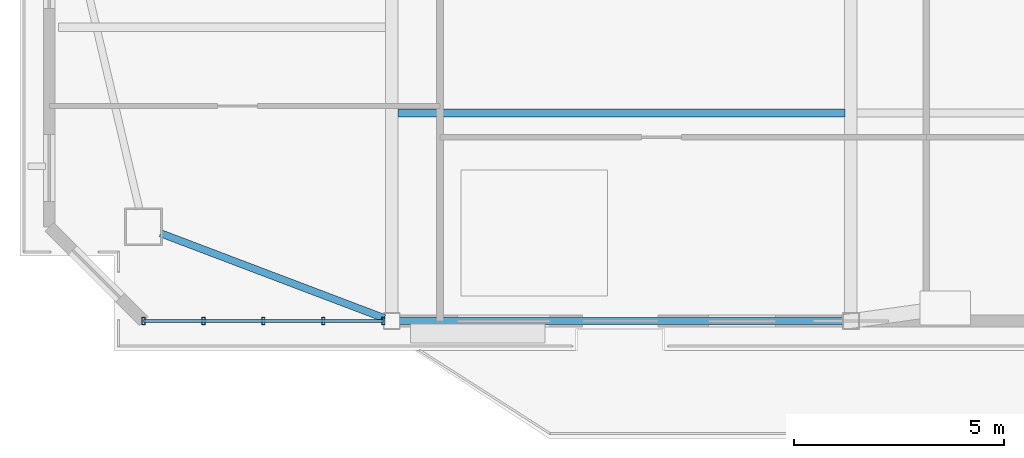
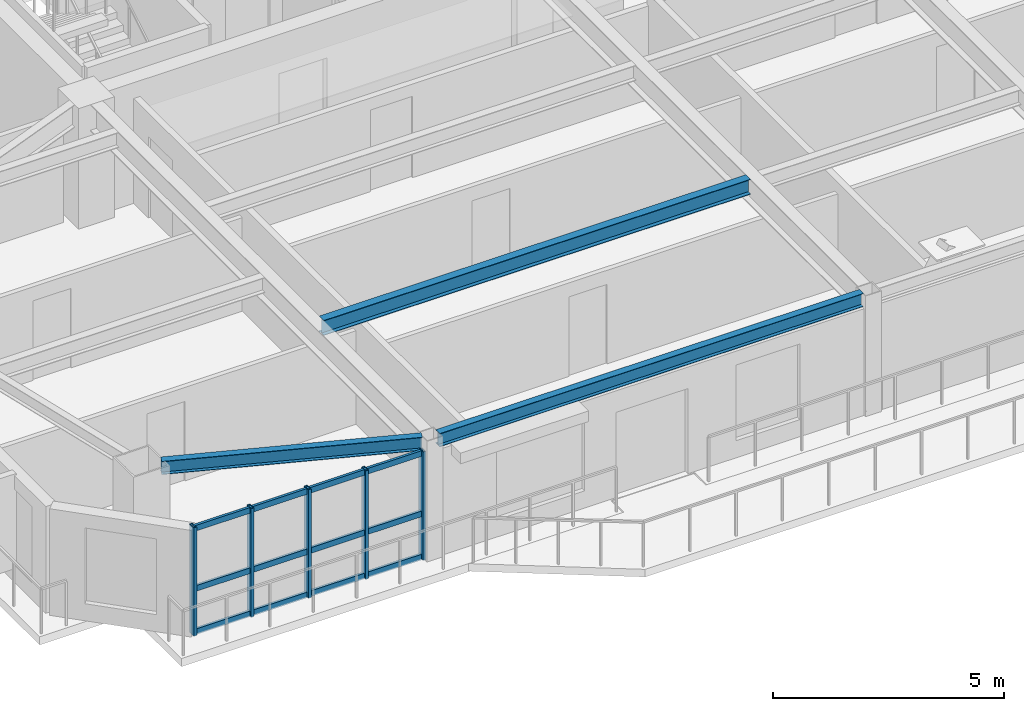
# One storey, part 2 of 13: 8 members, 3 beams, 1 element without a shape of its own.
"""IFC4 building model written with IfcOpenShell, lengths in metres."""

from ifc_helpers import new_model, si_unit, direction, frame, origin, origin_2d, place, context, subcontext, project, spatial, hollow_rectangle, i_section, extrude, source, transform, mapped, material, layer, layer_set, material_profile, profile_set, type_object, element, aggregate, save


model = new_model("IFC4")

# Units and contexts
model_context = context("Model", 3, precision=1e-05, world=origin(), true_north=direction((0.0, 1.0)))
body_context = subcontext(model_context, "Body", "Model", "MODEL_VIEW")
ifc_project = project(units=[si_unit("LENGTHUNIT", "METRE"), si_unit("AREAUNIT", "SQUARE_METRE"), si_unit("VOLUMEUNIT", "CUBIC_METRE"), si_unit("PLANEANGLEUNIT", "RADIAN"), si_unit("MASSUNIT", "GRAM", prefix="KILO")], contexts=[model_context])

# Site, building, storey
site_placement = place(None, origin())
site = spatial("IfcSite", under=ifc_project, at=site_placement, CompositionType="ELEMENT")
building_placement = place(site_placement, origin())
building = spatial("IfcBuilding", under=site, at=building_placement, Name="Giltprow Tower", CompositionType="ELEMENT")
storey_placement = place(building_placement, frame((0.0, 0.0, 335.699951171875)))
storey = spatial("IfcBuildingStorey", under=building, at=storey_placement, Name="L87", CompositionType="ELEMENT", Elevation=335.699951171875)

# Beams
ifc_material_1 = material(Name="Structural steel Q355B", Category="steel")
ifc_material_profile_1 = material_profile(ifc_material_1, i_section(OverallWidth=0.199951171875, OverallDepth=0.39990234375, WebThickness=0.008056640625, FlangeThickness=0.012939453125, at=origin_2d()), Name="HN 400x200x8x13")
ifc_profile_set_1 = profile_set([ifc_material_profile_1], Name="Structural steel Q355B")
beam_type_1 = type_object("IfcBeamType", Name="BM-JOIST-HN400", PredefinedType="JOIST", material=ifc_profile_set_1)
shared_shape_1 = source(origin(), body_context, "Body", "SweptSolid", [
    extrude(i_section(OverallWidth=0.199951171875, OverallDepth=0.39990234375, WebThickness=0.008056640625, FlangeThickness=0.012939453125, at=origin_2d()), origin(), (0.0, 0.0, 1.0), 10.659912109375),
])
beam_1_placement = place(storey_placement, frame((19.9951171875, 27.529052734375, 2.985107421875), z_axis=(1.0, 0.0, 0.0), x_axis=(0.0, 1.0, 0.0)))
element("IfcBeam", 1, at=beam_1_placement, inside=storey, type_object=beam_type_1, Name="L87 Composite Floor Joist 1-1", PredefinedType="JOIST", context=body_context, shape_type="MappedRepresentation", body=[
    mapped(shared_shape_1, transform((0.0, 0.0, 0.0), x_axis=(1.0, 0.0, 0.0), y_axis=(0.0, 1.0, 0.0), z_axis=(0.0, 0.0, 1.0), scale=1.0)),
])
ifc_material_profile_2 = material_profile(ifc_material_1, i_section(OverallWidth=0.175048828125, OverallDepth=0.35009765625, WebThickness=0.007080078125, FlangeThickness=0.010986328125, at=origin_2d()), Name="HN 350x175x7x11")
ifc_profile_set_2 = profile_set([ifc_material_profile_2], Name="Structural steel Q355B")
beam_type_2 = type_object("IfcBeamType", Name="BM-SPAN-HN350", PredefinedType="SPANDREL", material=ifc_profile_set_2)
shared_shape_2 = source(origin(), body_context, "Body", "SweptSolid", [
    extrude(i_section(OverallWidth=0.175048828125, OverallDepth=0.35009765625, WebThickness=0.007080078125, FlangeThickness=0.010986328125, at=origin_2d()), origin(), (0.0, 0.0, 1.0), 10.580078125),
])
beam_2_placement = place(storey_placement, frame((20.034912109375, 22.568115234375, 3.010009765625), z_axis=(1.0, 0.0, 0.0), x_axis=(0.0, 1.0, 0.0)))
element("IfcBeam", 2, at=beam_2_placement, inside=storey, type_object=beam_type_2, Name="L87 Perimeter Spandrel Beam S1-S2", PredefinedType="SPANDREL", context=body_context, shape_type="MappedRepresentation", body=[
    mapped(shared_shape_2, transform((0.0, 0.0, 0.0), x_axis=(1.0, 0.0, 0.0), y_axis=(0.0, 1.0, 0.0), z_axis=(0.0, 0.0, 1.0), scale=1.0)),
])
shared_shape_3 = source(origin(), body_context, "Body", "SweptSolid", [
    extrude(i_section(OverallWidth=0.175048828125, OverallDepth=0.35009765625, WebThickness=0.007080078125, FlangeThickness=0.010986328125, at=origin_2d()), origin(), (0.0, 0.0, 1.0), 5.71044921875),
])
beam_3_placement = place(storey_placement, frame((14.337890625, 24.659912109375, 3.010009765625), z_axis=(0.934956945211, -0.354761202221, 0.0), x_axis=(0.354761202221, 0.934956945211, 0.0)))
element("IfcBeam", 3, at=beam_3_placement, inside=storey, type_object=beam_type_2, Name="L87 Perimeter Spandrel Beam MC_SW-S1", PredefinedType="SPANDREL", context=body_context, shape_type="MappedRepresentation", body=[
    mapped(shared_shape_3, transform((0.0, 0.0, 0.0), x_axis=(1.0, 0.0, 0.0), y_axis=(0.0, 1.0, 0.0), z_axis=(0.0, 0.0, 1.0), scale=1.0)),
])

# Curtain wall, members
ifc_material_2 = material(Name="Anodized bronze", Category="metal")
ifc_layer = layer(ifc_material_2, 0.179931640625, Name="Anodized bronze")
ifc_layer_set = layer_set([ifc_layer], Name="Anodized bronze")
curtain_wall_type = type_object("IfcCurtainWallType", Name="CW-RES-SKY", PredefinedType="NOTDEFINED", material=ifc_layer_set)
curtain_wall_placement = place(storey_placement, origin())
curtain_wall = element("IfcCurtainWall", 4, at=curtain_wall_placement, inside=storey, type_object=curtain_wall_type, Name="L87 South Recessed Curtain Wall 1", PredefinedType="NOTDEFINED")
ifc_material_profile_3 = material_profile(ifc_material_2, hollow_rectangle(XDim=0.074951171875, YDim=0.179931640625, WallThickness=0.008056640625, at=origin_2d()), Name="RHS 180x75x8")
ifc_profile_set_3 = profile_set([ifc_material_profile_3], Name="Anodized bronze")
member_type_1 = type_object("IfcMemberType", Name="CW-MULLION-180x75", PredefinedType="MULLION", material=ifc_profile_set_3)
shared_shape_4 = source(origin(), body_context, "Body", "SweptSolid", [
    extrude(hollow_rectangle(XDim=0.074951171875, YDim=0.179931640625, WallThickness=0.008056640625, at=origin_2d()), origin(), (0.0, 0.0, 1.0), 2.8701171875),
])
member_1_placement = place(storey_placement, frame((13.930908203125, 22.568115234375, -0.02001953125), z_axis=(0.0, 0.0, 1.0), x_axis=(1.0, 0.0, 0.0)))
member_1 = element("IfcMember", 5, at=member_1_placement, type_object=member_type_1, Name="L87 South Recessed Curtain Wall 1 Mullion 1", PredefinedType="MULLION", context=body_context, shape_type="MappedRepresentation", body=[
    mapped(shared_shape_4, transform((0.0, 0.0, 0.0), x_axis=(1.0, 0.0, 0.0), y_axis=(0.0, 1.0, 0.0), z_axis=(0.0, 0.0, 1.0), scale=1.0)),
])
member_2_placement = place(storey_placement, frame((15.361083984375, 22.568115234375, -0.02001953125), z_axis=(0.0, 0.0, 1.0), x_axis=(1.0, 0.0, 0.0)))
member_2 = element("IfcMember", 6, at=member_2_placement, type_object=member_type_1, Name="L87 South Recessed Curtain Wall 1 Mullion 2", PredefinedType="MULLION", context=body_context, shape_type="MappedRepresentation", body=[
    mapped(shared_shape_4, transform((0.0, 0.0, 0.0), x_axis=(1.0, 0.0, 0.0), y_axis=(0.0, 1.0, 0.0), z_axis=(0.0, 0.0, 1.0), scale=1.0)),
])
member_3_placement = place(storey_placement, frame((16.7900390625, 22.568115234375, -0.02001953125), z_axis=(0.0, 0.0, 1.0), x_axis=(1.0, 0.0, 0.0)))
member_3 = element("IfcMember", 7, at=member_3_placement, type_object=member_type_1, Name="L87 South Recessed Curtain Wall 1 Mullion 3", PredefinedType="MULLION", context=body_context, shape_type="MappedRepresentation", body=[
    mapped(shared_shape_4, transform((0.0, 0.0, 0.0), x_axis=(1.0, 0.0, 0.0), y_axis=(0.0, 1.0, 0.0), z_axis=(0.0, 0.0, 1.0), scale=1.0)),
])
member_4_placement = place(storey_placement, frame((18.219970703125, 22.568115234375, -0.02001953125), z_axis=(0.0, 0.0, 1.0), x_axis=(1.0, 0.0, 0.0)))
member_4 = element("IfcMember", 8, at=member_4_placement, type_object=member_type_1, Name="L87 South Recessed Curtain Wall 1 Mullion 4", PredefinedType="MULLION", context=body_context, shape_type="MappedRepresentation", body=[
    mapped(shared_shape_4, transform((0.0, 0.0, 0.0), x_axis=(1.0, 0.0, 0.0), y_axis=(0.0, 1.0, 0.0), z_axis=(0.0, 0.0, 1.0), scale=1.0)),
])
member_5_placement = place(storey_placement, frame((19.64990234375, 22.568115234375, -0.02001953125), z_axis=(0.0, 0.0, 1.0), x_axis=(1.0, 0.0, 0.0)))
member_5 = element("IfcMember", 9, at=member_5_placement, type_object=member_type_1, Name="L87 South Recessed Curtain Wall 1 Mullion 5", PredefinedType="MULLION", context=body_context, shape_type="MappedRepresentation", body=[
    mapped(shared_shape_4, transform((0.0, 0.0, 0.0), x_axis=(1.0, 0.0, 0.0), y_axis=(0.0, 1.0, 0.0), z_axis=(0.0, 0.0, 1.0), scale=1.0)),
])
ifc_material_profile_4 = material_profile(ifc_material_2, hollow_rectangle(XDim=0.06494140625, YDim=0.14990234375, WallThickness=0.006103515625, at=origin_2d()), Name="RHS 150x65x6")
ifc_profile_set_4 = profile_set([ifc_material_profile_4], Name="Anodized bronze")
member_type_2 = type_object("IfcMemberType", Name="CW-TRANSOM-150x65", PredefinedType="USERDEFINED", material=ifc_profile_set_4)
shared_shape_5 = source(origin(), body_context, "Body", "SweptSolid", [
    extrude(hollow_rectangle(XDim=0.06494140625, YDim=0.14990234375, WallThickness=0.006103515625, at=origin_2d()), origin(), (0.0, 0.0, 1.0), 5.718994140625),
])
member_6_placement = place(storey_placement, frame((13.930908203125, 22.568115234375, 0.0400390625), z_axis=(1.0, 0.0, 0.0), x_axis=(0.0, 1.0, 0.0)))
member_6 = element("IfcMember", 10, at=member_6_placement, type_object=member_type_2, Name="L87 South Recessed Curtain Wall 1 Transom 1", ObjectType="TRANSOM", PredefinedType="USERDEFINED", context=body_context, shape_type="MappedRepresentation", body=[
    mapped(shared_shape_5, transform((0.0, 0.0, 0.0), x_axis=(1.0, 0.0, 0.0), y_axis=(0.0, 1.0, 0.0), z_axis=(0.0, 0.0, 1.0), scale=1.0)),
])
member_7_placement = place(storey_placement, frame((13.930908203125, 22.568115234375, 1.18212890625), z_axis=(1.0, 0.0, 0.0), x_axis=(0.0, 1.0, 0.0)))
member_7 = element("IfcMember", 11, at=member_7_placement, type_object=member_type_2, Name="L87 South Recessed Curtain Wall 1 Transom 2", ObjectType="TRANSOM", PredefinedType="USERDEFINED", context=body_context, shape_type="MappedRepresentation", body=[
    mapped(shared_shape_5, transform((0.0, 0.0, 0.0), x_axis=(1.0, 0.0, 0.0), y_axis=(0.0, 1.0, 0.0), z_axis=(0.0, 0.0, 1.0), scale=1.0)),
])
member_8_placement = place(storey_placement, frame((13.930908203125, 22.568115234375, 2.775146484375), z_axis=(1.0, 0.0, 0.0), x_axis=(0.0, 1.0, 0.0)))
member_8 = element("IfcMember", 12, at=member_8_placement, type_object=member_type_2, Name="L87 South Recessed Curtain Wall 1 Transom 3", ObjectType="TRANSOM", PredefinedType="USERDEFINED", context=body_context, shape_type="MappedRepresentation", body=[
    mapped(shared_shape_5, transform((0.0, 0.0, 0.0), x_axis=(1.0, 0.0, 0.0), y_axis=(0.0, 1.0, 0.0), z_axis=(0.0, 0.0, 1.0), scale=1.0)),
])
aggregate(curtain_wall, [member_1, member_2, member_3, member_4, member_5, member_6, member_7, member_8])

save(model, "model.ifc")
